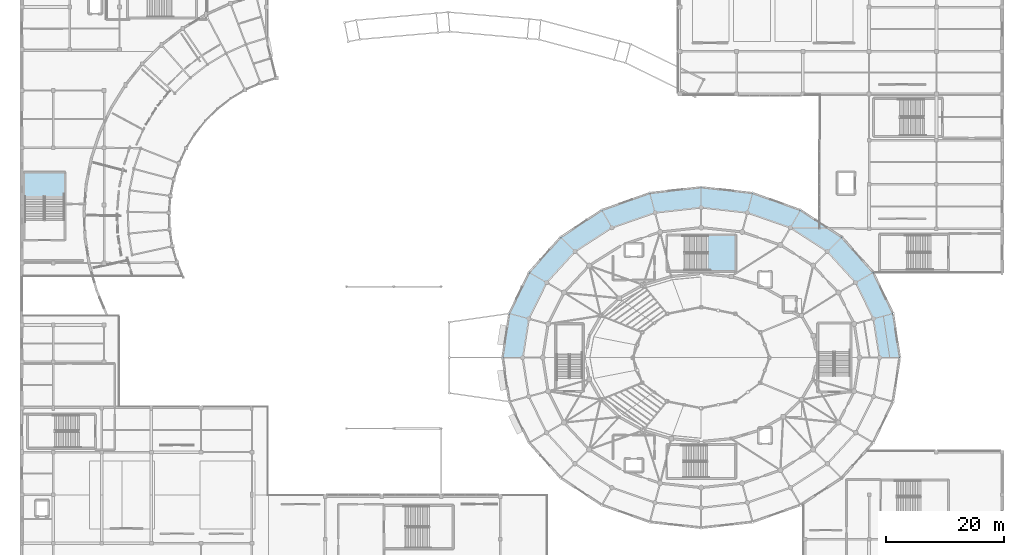
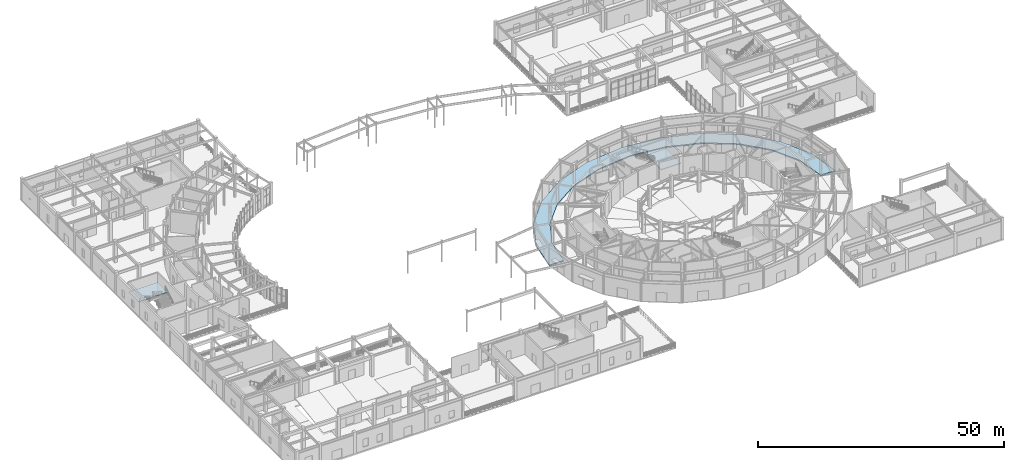
# One storey, part 43 of 93: 3 slabs, 2 elements without a shape of their own.
"""IFC4 building model written with IfcOpenShell, lengths in metres."""

from ifc_helpers import new_model, si_unit, direction, frame, origin, place, context, subcontext, project, spatial, polyline, outline, extrude, material, layer, layer_set, type_object, element, aggregate, save


model = new_model("IFC4")

# Units and contexts
model_context = context("Model", 3, precision=1e-05, world=origin(), true_north=direction((0.0, 1.0)))
body_context = subcontext(model_context, "Body", "Model", "MODEL_VIEW")
ifc_project = project(units=[si_unit("LENGTHUNIT", "METRE"), si_unit("AREAUNIT", "SQUARE_METRE"), si_unit("VOLUMEUNIT", "CUBIC_METRE"), si_unit("PLANEANGLEUNIT", "RADIAN"), si_unit("MASSUNIT", "GRAM", prefix="KILO")], contexts=[model_context])

# Site, building, storey
site_placement = place(None, origin())
site = spatial("IfcSite", under=ifc_project, at=site_placement, CompositionType="ELEMENT")
building_placement = place(site_placement, origin())
building = spatial("IfcBuilding", under=site, at=building_placement, Name="Cinderbank Siding Concert Hall", CompositionType="ELEMENT")
storey_placement = place(building_placement, origin())
storey = spatial("IfcBuildingStorey", under=building, at=storey_placement, Name="L01", CompositionType="ELEMENT", Elevation=0.0)

# Stair, slab
ifc_material = material(Name="Reinforced concrete AS 3600 N50 (50 MPa)", Category="concrete")
stair_type_1 = type_object("IfcStairType", Name="STR-J Dogleg Exit Stair 2850mm", PredefinedType="HALF_TURN_STAIR", material=ifc_material)
stair_1_placement = place(storey_placement, origin())
stair_1 = element("IfcStair", 1, at=stair_1_placement, inside=storey, type_object=stair_type_1, Name="L01 Fire-isolated Exit Stair ST-01", PredefinedType="HALF_TURN_STAIR")
ifc_layer_1 = layer(ifc_material, 0.199951171875)
ifc_layer_set_1 = layer_set([ifc_layer_1], Name="Reinforced concrete AS 3600 N50 (50 MPa)")
slab_type_1 = type_object("IfcSlabType", Name="LD-02 Slab 200mm", PredefinedType="LANDING", material=ifc_layer_set_1)
slab_1_placement = place(storey_placement, frame((0.0, 0.0, 2.5)))
slab_1 = element("IfcSlab", 2, at=slab_1_placement, type_object=slab_type_1, Name="ST-01 landing 1", PredefinedType="LANDING", context=body_context, shape_type="SweptSolid", body=[
    extrude(outline(polyline([(123.1298828125, 58.669921875), (123.1298828125, 64.68994140625), (127.780029296875, 64.68994140625), (127.780029296875, 58.669921875), (123.1298828125, 58.669921875)])), origin(), (0.0, 0.0, 1.0), 0.199951171875),
])
aggregate(stair_1, [slab_1])

stair_type_2 = type_object("IfcStairType", Name="STR-L Dogleg Exit Stair 3250mm", PredefinedType="HALF_TURN_STAIR", material=ifc_material)
stair_2_placement = place(storey_placement, origin())
stair_2 = element("IfcStair", 3, at=stair_2_placement, inside=storey, type_object=stair_type_2, Name="L01 West Gallery Exit Stair ST-09", PredefinedType="HALF_TURN_STAIR")
slab_2_placement = place(storey_placement, frame((0.0, 0.0, 2.5)))
slab_2 = element("IfcSlab", 4, at=slab_2_placement, type_object=slab_type_1, Name="ST-09 landing 1", PredefinedType="LANDING", context=body_context, shape_type="SweptSolid", body=[
    extrude(outline(polyline([(14.340087890625, 71.22998046875), (7.52001953125, 71.22998046875), (7.52001953125, 75.280029296875), (14.340087890625, 75.280029296875), (14.340087890625, 71.22998046875)])), origin(), (0.0, 0.0, 1.0), 0.199951171875),
])
aggregate(stair_2, [slab_2])

# Slab
ifc_layer_2 = layer(ifc_material, 0.280029296875)
ifc_layer_set_2 = layer_set([ifc_layer_2], Name="Reinforced concrete AS 3600 N50 (50 MPa)")
slab_type_2 = type_object("IfcSlabType", Name="SL-02 Slab 280mm", PredefinedType="FLOOR", material=ifc_layer_set_2)
slab_3_placement = place(storey_placement, frame((0.0, 0.0, -0.280029296875)))
element("IfcSlab", 5, at=slab_3_placement, inside=storey, type_object=slab_type_2, Name="L01 Outer Foyer Concourse Ring Slab North", PredefinedType="FLOOR", context=body_context, shape_type="SweptSolid", body=[
    extrude(outline(polyline([(89.544921875, 51.4541015625), (92.901611328125, 58.39990234375), (98.2412109375, 64.36474609375), (105.199951171875, 68.94140625), (113.3037109375, 71.818603515625), (122.0, 72.800048828125), (130.6962890625, 71.818603515625), (138.800048828125, 68.94140625), (145.7587890625, 64.36474609375), (151.098388671875, 58.39990234375), (154.455078125, 51.4541015625), (155.59912109375, 44.006103515625), (152.19921875, 44.006103515625), (151.1708984375, 50.573974609375), (148.154052734375, 56.699951171875), (143.3544921875, 61.96044921875), (137.10009765625, 65.9970703125), (129.81640625, 68.534423828125), (122.0, 69.39990234375), (114.18359375, 68.534423828125), (106.89990234375, 65.9970703125), (100.6455078125, 61.96044921875), (95.845947265625, 56.699951171875), (92.8291015625, 50.573974609375), (91.80078125, 44.006103515625), (88.40087890625, 44.006103515625), (89.544921875, 51.4541015625)])), origin(), (0.0, 0.0, 1.0), 0.280029296875),
])

save(model, "model.ifc")
